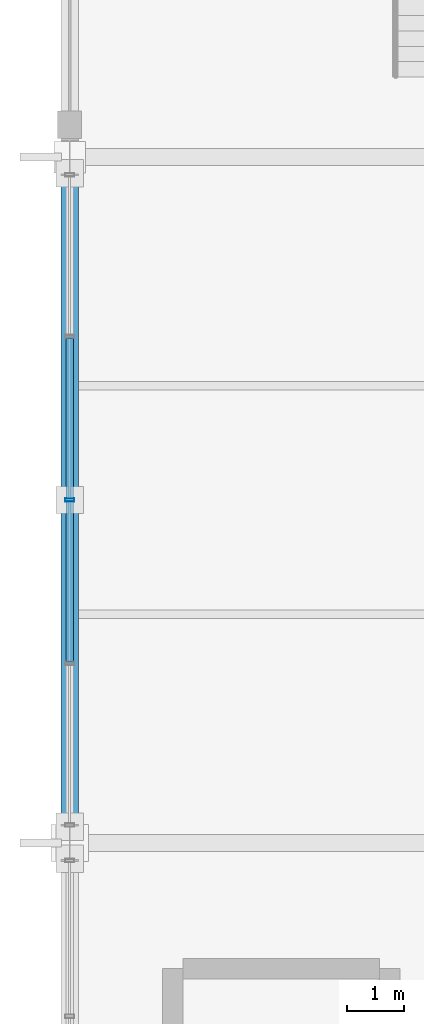
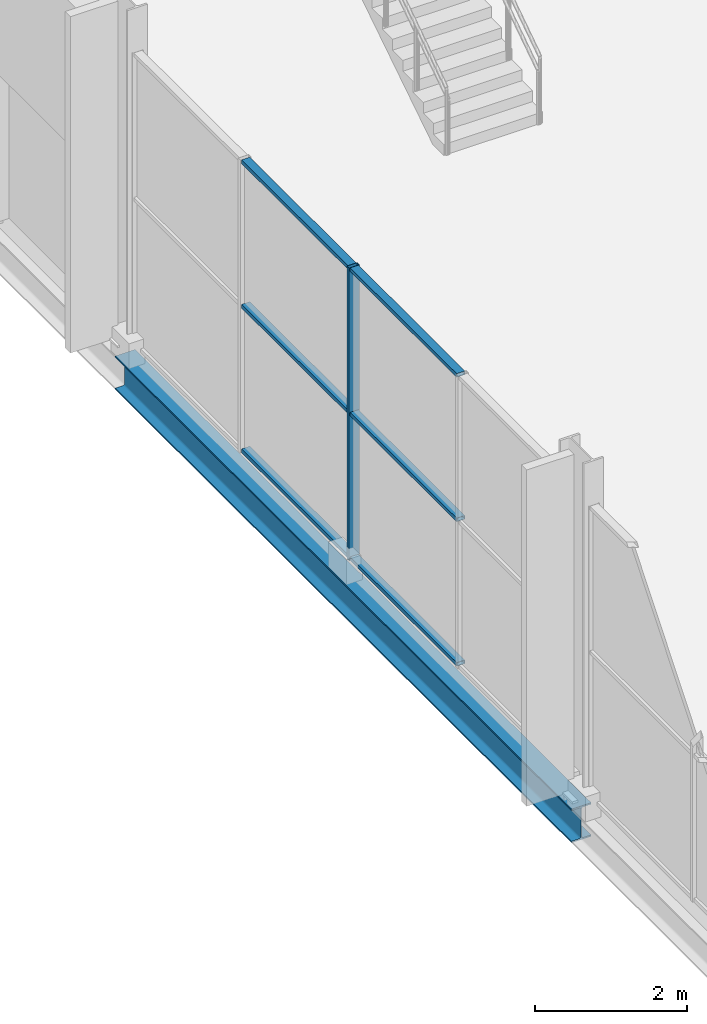
# One storey, part 45 of 196: 7 members, 1 beam, 1 element without a shape of its own.
"""IFC4 building model written with IfcOpenShell, lengths in metres."""

from ifc_helpers import new_model, si_unit, direction, frame, origin, origin_2d, place, context, subcontext, project, spatial, hollow_rectangle, i_section, extrude, material, material_profile, profile_set, type_object, element, aggregate, save


model = new_model("IFC4")

# Units and contexts
model_context = context("Model", 3, precision=1e-05, world=origin(), true_north=direction((0.0, 1.0)))
body_context = subcontext(model_context, "Body", "Model", "MODEL_VIEW")
ifc_project = project(units=[si_unit("LENGTHUNIT", "METRE"), si_unit("AREAUNIT", "SQUARE_METRE"), si_unit("VOLUMEUNIT", "CUBIC_METRE"), si_unit("PLANEANGLEUNIT", "RADIAN"), si_unit("MASSUNIT", "GRAM", prefix="KILO")], contexts=[model_context])

# Site, building, storey
site_placement = place(None, origin())
site = spatial("IfcSite", under=ifc_project, at=site_placement, CompositionType="ELEMENT")
building_placement = place(site_placement, origin())
building = spatial("IfcBuilding", under=site, at=building_placement, Name="Merenkruunu Market Hall", CompositionType="ELEMENT")
storey_placement = place(building_placement, origin())
storey = spatial("IfcBuildingStorey", under=building, at=storey_placement, Name="L00", CompositionType="ELEMENT", Elevation=0.0)

# Curtain wall, members
ifc_material_1 = material(Name="Powder-coated aluminium", Category="aluminium")
curtain_wall_type = type_object("IfcCurtainWallType", Name="Glazed Curtain Wall CW04", PredefinedType="USERDEFINED", material=ifc_material_1)
curtain_wall_placement = place(storey_placement, origin())
curtain_wall = element("IfcCurtainWall", 1, at=curtain_wall_placement, inside=storey, type_object=curtain_wall_type, Name="CW-L00-CWM01-004", ObjectType="GLAZED_FACADE", PredefinedType="USERDEFINED")
ifc_material_profile_1 = material_profile(ifc_material_1, hollow_rectangle(XDim=0.06005859375, YDim=0.159912109375, WallThickness=0.00390625, at=origin_2d()), Name="ALU 60x160x4")
ifc_profile_set_1 = profile_set([ifc_material_profile_1], Name="Powder-coated aluminium")
member_type_1 = type_object("IfcMemberType", Name="Curtain Wall Mullion CWM01", PredefinedType="MULLION", material=ifc_profile_set_1)
member_1_placement = place(storey_placement, frame((0.0, 33.60009765625, 0.0), z_axis=(0.0, 0.0, 1.0), x_axis=(0.0, 1.0, 0.0)))
member_1 = element("IfcMember", 2, at=member_1_placement, type_object=member_type_1, Name="CW04 mullion 3", PredefinedType="MULLION", context=body_context, shape_type="SweptSolid", body=[
    extrude(hollow_rectangle(XDim=0.06005859375, YDim=0.159912109375, WallThickness=0.00390625, at=origin_2d()), origin(), (0.0, 0.0, 1.0), 4.699951171875),
])
ifc_material_profile_2 = material_profile(ifc_material_1, hollow_rectangle(XDim=0.06005859375, YDim=0.125, WallThickness=0.00390625, at=origin_2d()), Name="ALU 60x125x4")
ifc_profile_set_2 = profile_set([ifc_material_profile_2], Name="Powder-coated aluminium")
member_type_2 = type_object("IfcMemberType", Name="Curtain Wall Transom CWT01", PredefinedType="USERDEFINED", material=ifc_profile_set_2)
member_2_placement = place(storey_placement, frame((0.0, 30.77001953125, 0.030029296875), z_axis=(0.0, 1.0, 0.0), x_axis=(0.0, 0.0, 1.0)))
member_2 = element("IfcMember", 3, at=member_2_placement, type_object=member_type_2, Name="CW04 transom 2.1", ObjectType="TRANSOM", PredefinedType="USERDEFINED", context=body_context, shape_type="SweptSolid", body=[
    extrude(hollow_rectangle(XDim=0.06005859375, YDim=0.125, WallThickness=0.00390625, at=origin_2d()), origin(), (0.0, 0.0, 1.0), 2.800048828125),
])
member_3_placement = place(storey_placement, frame((0.0, 30.77001953125, 2.35009765625), z_axis=(0.0, 1.0, 0.0), x_axis=(0.0, 0.0, 1.0)))
member_3 = element("IfcMember", 4, at=member_3_placement, type_object=member_type_2, Name="CW04 transom 2.2", ObjectType="TRANSOM", PredefinedType="USERDEFINED", context=body_context, shape_type="SweptSolid", body=[
    extrude(hollow_rectangle(XDim=0.06005859375, YDim=0.125, WallThickness=0.00390625, at=origin_2d()), origin(), (0.0, 0.0, 1.0), 2.800048828125),
])
member_4_placement = place(storey_placement, frame((0.0, 30.77001953125, 4.669921875), z_axis=(0.0, 1.0, 0.0), x_axis=(0.0, 0.0, 1.0)))
member_4 = element("IfcMember", 5, at=member_4_placement, type_object=member_type_2, Name="CW04 transom 2.3", ObjectType="TRANSOM", PredefinedType="USERDEFINED", context=body_context, shape_type="SweptSolid", body=[
    extrude(hollow_rectangle(XDim=0.06005859375, YDim=0.125, WallThickness=0.00390625, at=origin_2d()), origin(), (0.0, 0.0, 1.0), 2.800048828125),
])
member_5_placement = place(storey_placement, frame((0.0, 33.6298828125, 0.030029296875), z_axis=(0.0, 1.0, 0.0), x_axis=(0.0, 0.0, 1.0)))
member_5 = element("IfcMember", 6, at=member_5_placement, type_object=member_type_2, Name="CW04 transom 3.1", ObjectType="TRANSOM", PredefinedType="USERDEFINED", context=body_context, shape_type="SweptSolid", body=[
    extrude(hollow_rectangle(XDim=0.06005859375, YDim=0.125, WallThickness=0.00390625, at=origin_2d()), origin(), (0.0, 0.0, 1.0), 2.800048828125),
])
member_6_placement = place(storey_placement, frame((0.0, 33.6298828125, 2.35009765625), z_axis=(0.0, 1.0, 0.0), x_axis=(0.0, 0.0, 1.0)))
member_6 = element("IfcMember", 7, at=member_6_placement, type_object=member_type_2, Name="CW04 transom 3.2", ObjectType="TRANSOM", PredefinedType="USERDEFINED", context=body_context, shape_type="SweptSolid", body=[
    extrude(hollow_rectangle(XDim=0.06005859375, YDim=0.125, WallThickness=0.00390625, at=origin_2d()), origin(), (0.0, 0.0, 1.0), 2.800048828125),
])
member_7_placement = place(storey_placement, frame((0.0, 33.6298828125, 4.669921875), z_axis=(0.0, 1.0, 0.0), x_axis=(0.0, 0.0, 1.0)))
member_7 = element("IfcMember", 8, at=member_7_placement, type_object=member_type_2, Name="CW04 transom 3.3", ObjectType="TRANSOM", PredefinedType="USERDEFINED", context=body_context, shape_type="SweptSolid", body=[
    extrude(hollow_rectangle(XDim=0.06005859375, YDim=0.125, WallThickness=0.00390625, at=origin_2d()), origin(), (0.0, 0.0, 1.0), 2.800048828125),
])
aggregate(curtain_wall, [member_1, member_2, member_3, member_4, member_5, member_6, member_7])

# Beam
ifc_material_2 = material(Name="Steel S355J2", Category="steel")
ifc_material_profile_3 = material_profile(ifc_material_2, i_section(OverallWidth=0.300048828125, OverallDepth=0.5400390625, WebThickness=0.012451171875, FlangeThickness=0.02392578125, FilletRadius=0.027099609375, at=origin_2d()), Name="HEA 550")
ifc_profile_set_3 = profile_set([ifc_material_profile_3], Name="Steel S355J2")
beam_type = type_object("IfcBeamType", Name="Primary Floor Girder B06", PredefinedType="BEAM", material=ifc_profile_set_3)
beam_placement = place(storey_placement, frame((0.0, 27.60009765625, -0.610107421875), z_axis=(0.0, 1.0, 0.0), x_axis=(-1.0, 0.0, 0.0)))
element("IfcBeam", 9, at=beam_placement, inside=storey, type_object=beam_type, Name="BM-L00-B06-0137", PredefinedType="BEAM", context=body_context, shape_type="SweptSolid", body=[
    extrude(i_section(OverallWidth=0.300048828125, OverallDepth=0.5400390625, WebThickness=0.012451171875, FlangeThickness=0.02392578125, FilletRadius=0.027099609375, at=origin_2d()), origin(), (0.0, 0.0, 1.0), 12.0),
])

save(model, "model.ifc")
